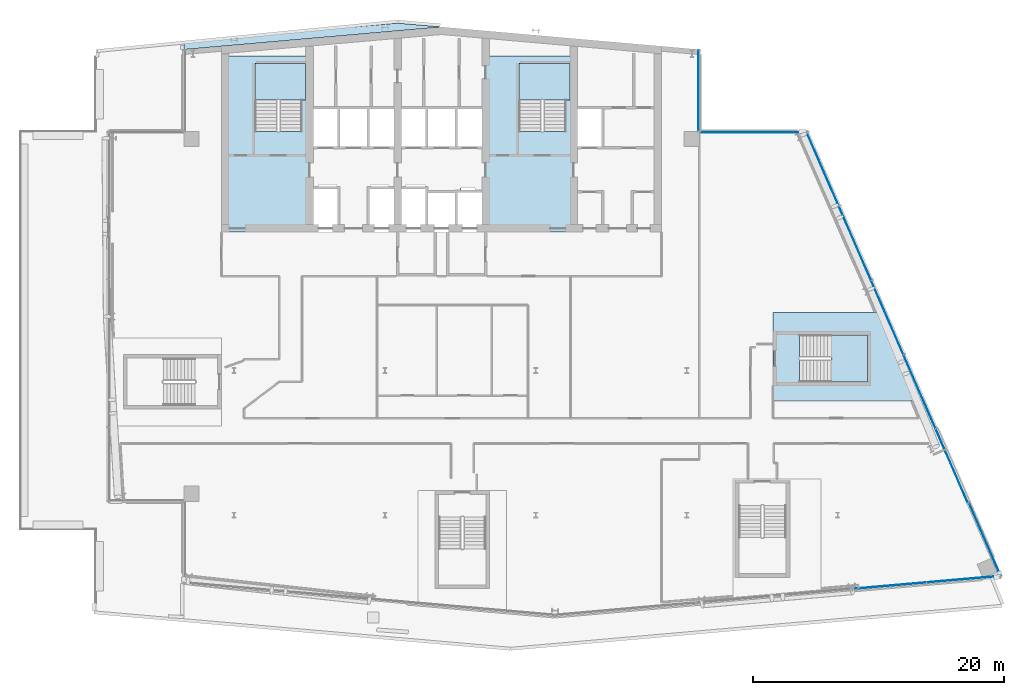
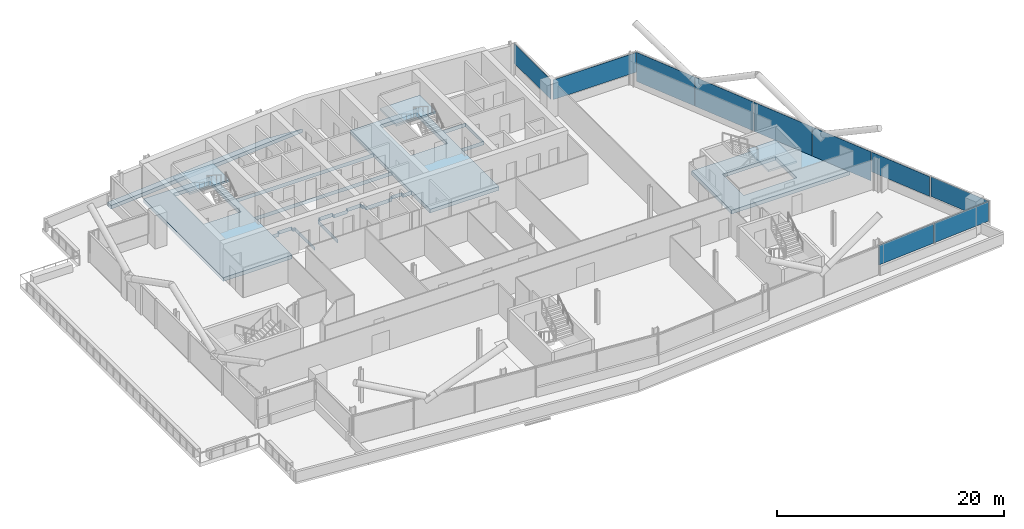
# One storey, part 11 of 27: 10 plates, 6 slabs, 7 elements without a shape of their own.
"""IFC4 building model written with IfcOpenShell, lengths in metres."""

from ifc_helpers import new_model, si_unit, direction, frame, origin, origin_2d, place, context, subcontext, project, spatial, polyline, rectangle, outline, extrude, material, layer, layer_set, type_object, element, aggregate, save


model = new_model("IFC4")

# Units and contexts
model_context = context("Model", 3, precision=1e-05, world=origin(), true_north=direction((0.0, 1.0)))
body_context = subcontext(model_context, "Body", "Model", "MODEL_VIEW")
ifc_project = project(units=[si_unit("LENGTHUNIT", "METRE"), si_unit("AREAUNIT", "SQUARE_METRE"), si_unit("VOLUMEUNIT", "CUBIC_METRE"), si_unit("PLANEANGLEUNIT", "RADIAN"), si_unit("MASSUNIT", "GRAM", prefix="KILO")], contexts=[model_context])

# Site, building, storey
site_placement = place(None, origin())
site = spatial("IfcSite", under=ifc_project, at=site_placement, CompositionType="ELEMENT")
building_placement = place(site_placement, origin())
building = spatial("IfcBuilding", under=site, at=building_placement, Name="Wharfspan Tower", CompositionType="ELEMENT")
storey_placement = place(building_placement, frame((0.0, 0.0, 207.100098)))
storey = spatial("IfcBuildingStorey", under=building, at=storey_placement, Name="L51", CompositionType="ELEMENT", Elevation=207.100098)

# Curtain wall, plates
ifc_material_1 = material(Name="Aluminium 6063-T6", Category="aluminium")
curtain_wall_type_1 = type_object("IfcCurtainWallType", Name="CURTAIN WALL FACETED FRONT", PredefinedType="NOTDEFINED", material=ifc_material_1)
curtain_wall_1_placement = place(storey_placement, origin())
curtain_wall_1 = element("IfcCurtainWall", 1, at=curtain_wall_1_placement, inside=storey, type_object=curtain_wall_type_1, Name="Curtain wall S2", PredefinedType="NOTDEFINED")
ifc_material_2 = material(Name="Glass clear low-iron double glazing", Category="glass")
ifc_layer_1 = layer(ifc_material_2, 0.040039)
ifc_layer_set_1 = layer_set([ifc_layer_1], Name="Glass clear low-iron double glazing")
plate_type_1 = type_object("IfcPlateType", Name="GLASS PANEL FACETED FRONT 40", PredefinedType="CURTAIN_PANEL", material=ifc_layer_set_1)
plate_1_placement = place(storey_placement, frame((76.119873, 5.883301, 0.999756), z_axis=(0.0, 0.0, 1.0), x_axis=(0.996197, 0.087156, 0.0)))
plate_1 = element("IfcPlate", 2, at=plate_1_placement, type_object=plate_type_1, Name="Curtain wall S2 panel 5", PredefinedType="CURTAIN_PANEL", context=body_context, shape_type="SweptSolid", body=[
    extrude(rectangle(XDim=5.87915, YDim=0.040039, at=origin_2d()), origin(), (0.0, 0.0, 1.0), 2.120117),
])
plate_2_placement = place(storey_placement, frame((82.021484, 6.399658, 0.999756), z_axis=(0.0, 0.0, 1.0), x_axis=(0.996197, 0.087156, 0.0)))
plate_2 = element("IfcPlate", 3, at=plate_2_placement, type_object=plate_type_1, Name="Curtain wall S2 panel 6", PredefinedType="CURTAIN_PANEL", context=body_context, shape_type="SweptSolid", body=[
    extrude(rectangle(XDim=5.849365, YDim=0.040039, at=origin_2d()), origin(), (0.0, 0.0, 1.0), 2.120117),
])
aggregate(curtain_wall_1, [plate_1, plate_2])

curtain_wall_type_2 = type_object("IfcCurtainWallType", Name="CURTAIN WALL PROW AND END", PredefinedType="NOTDEFINED", material=ifc_material_1)
curtain_wall_2_placement = place(storey_placement, origin())
curtain_wall_2 = element("IfcCurtainWall", 4, at=curtain_wall_2_placement, inside=storey, type_object=curtain_wall_type_2, Name="Curtain wall E", PredefinedType="NOTDEFINED")
ifc_layer_2 = layer(ifc_material_2, 0.040039)
ifc_layer_set_2 = layer_set([ifc_layer_2], Name="Glass clear low-iron double glazing")
plate_type_2 = type_object("IfcPlateType", Name="GLASS PANEL PROW AND END 40", PredefinedType="CURTAIN_PANEL", material=ifc_layer_set_2)
plate_3_placement = place(storey_placement, frame((83.711426, 9.563721, 0.999756), z_axis=(0.0, 0.0, 1.0), x_axis=(-0.398727, 0.917072, 0.0)))
plate_3 = element("IfcPlate", 5, at=plate_3_placement, type_object=plate_type_2, Name="Curtain wall E panel 1", PredefinedType="CURTAIN_PANEL", context=body_context, shape_type="SweptSolid", body=[
    extrude(rectangle(XDim=6.343506, YDim=0.040039, at=origin_2d()), origin(), (0.0, 0.0, 1.0), 2.120117),
])
plate_4_placement = place(storey_placement, frame((81.078857, 15.418213, 0.999756), z_axis=(0.0, 0.0, 1.0), x_axis=(-0.398727, 0.917072, 0.0)))
plate_4 = element("IfcPlate", 6, at=plate_4_placement, type_object=plate_type_2, Name="Curtain wall E panel 2", PredefinedType="CURTAIN_PANEL", context=body_context, shape_type="SweptSolid", body=[
    extrude(rectangle(XDim=6.373535, YDim=0.040039, at=origin_2d()), origin(), (0.0, 0.0, 1.0), 2.120117),
])

# Curtain wall, plate
curtain_wall_3_placement = place(storey_placement, origin())
curtain_wall_3 = element("IfcCurtainWall", 7, at=curtain_wall_3_placement, inside=storey, type_object=curtain_wall_type_2, Name="Curtain wall NRE-H", PredefinedType="NOTDEFINED")
plate_5_placement = place(storey_placement, frame((65.304443, 41.919922, 0.999756), z_axis=(0.0, 0.0, 1.0), x_axis=(-1.0, 0.0, 0.0)))
plate_5 = element("IfcPlate", 8, at=plate_5_placement, type_object=plate_type_2, Name="Curtain wall NRE-H panel 1", PredefinedType="CURTAIN_PANEL", context=body_context, shape_type="SweptSolid", body=[
    extrude(rectangle(XDim=8.48877, YDim=0.040039, at=origin_2d()), origin(), (0.0, 0.0, 1.0), 2.120117),
])
aggregate(curtain_wall_3, [plate_5])

curtain_wall_4_placement = place(storey_placement, origin())
curtain_wall_4 = element("IfcCurtainWall", 9, at=curtain_wall_4_placement, inside=storey, type_object=curtain_wall_type_2, Name="Curtain wall NRE-V", PredefinedType="NOTDEFINED")
plate_6_placement = place(storey_placement, frame((60.919922, 45.262451, 0.999756), z_axis=(0.0, 0.0, 1.0), x_axis=(0.0, 1.0, 0.0)))
plate_6 = element("IfcPlate", 10, at=plate_6_placement, type_object=plate_type_2, Name="Curtain wall NRE-V panel 1", PredefinedType="CURTAIN_PANEL", context=body_context, shape_type="SweptSolid", body=[
    extrude(rectangle(XDim=6.405029, YDim=0.040039, at=origin_2d()), origin(), (0.0, 0.0, 1.0), 2.120117),
])
aggregate(curtain_wall_4, [plate_6])

# Plate
ifc_material_3 = material(Name="Aluminium composite opaque insulated panel", Category="aluminium")
ifc_layer_3 = layer(ifc_material_3, 0.040039)
ifc_layer_set_3 = layer_set([ifc_layer_3], Name="Aluminium composite opaque insulated panel")
plate_type_3 = type_object("IfcPlateType", Name="INFILL PANEL PROW AND END OPAQUE 40", PredefinedType="SHEET", material=ifc_layer_set_3)
plate_7_placement = place(storey_placement, frame((78.513672, 21.318115, -0.000244), z_axis=(0.0, 0.0, 1.0), x_axis=(-0.398727, 0.917072, 0.0)))
plate_7 = element("IfcPlate", 11, at=plate_7_placement, type_object=plate_type_3, Name="Curtain wall E panel 3", PredefinedType="SHEET", context=body_context, shape_type="SweptSolid", body=[
    extrude(rectangle(XDim=6.373535, YDim=0.040039, at=origin_2d()), origin(), (0.0, 0.0, 1.0), 3.120117),
])

plate_8_placement = place(storey_placement, frame((75.948486, 27.218018, -0.000244), z_axis=(0.0, 0.0, 1.0), x_axis=(-0.398727, 0.917072, 0.0)))
plate_8 = element("IfcPlate", 12, at=plate_8_placement, type_object=plate_type_3, Name="Curtain wall E panel 4", PredefinedType="SHEET", context=body_context, shape_type="SweptSolid", body=[
    extrude(rectangle(XDim=6.373535, YDim=0.040039, at=origin_2d()), origin(), (0.0, 0.0, 1.0), 3.120117),
])

plate_9_placement = place(storey_placement, frame((73.383057, 33.118164, -0.000244), z_axis=(0.0, 0.0, 1.0), x_axis=(-0.398727, 0.917072, 0.0)))
plate_9 = element("IfcPlate", 13, at=plate_9_placement, type_object=plate_type_3, Name="Curtain wall E panel 5", PredefinedType="SHEET", context=body_context, shape_type="SweptSolid", body=[
    extrude(rectangle(XDim=6.373535, YDim=0.040039, at=origin_2d()), origin(), (0.0, 0.0, 1.0), 3.120117),
])

plate_10_placement = place(storey_placement, frame((70.823975, 39.004395, -0.000244), z_axis=(0.0, 0.0, 1.0), x_axis=(-0.398727, 0.917072, 0.0)))
plate_10 = element("IfcPlate", 14, at=plate_10_placement, type_object=plate_type_3, Name="Curtain wall E panel 6", PredefinedType="SHEET", context=body_context, shape_type="SweptSolid", body=[
    extrude(rectangle(XDim=6.343506, YDim=0.040039, at=origin_2d()), origin(), (0.0, 0.0, 1.0), 3.120117),
])

aggregate(curtain_wall_2, [plate_3, plate_4, plate_7, plate_8, plate_9, plate_10])

# Slabs
ifc_material_4 = material(Name="Concrete C40/50", Category="concrete")
ifc_layer_4 = layer(ifc_material_4, 0.399902)
ifc_layer_set_4 = layer_set([ifc_layer_4], Name="Concrete C40/50")
slab_type_1 = type_object("IfcSlabType", Name="Post-tensioned flat slab 400", PredefinedType="FLOOR", material=ifc_layer_set_4)
slab_1_placement = place(storey_placement, frame((0.0, 0.0, -0.400146)))
element("IfcSlab", 15, at=slab_1_placement, inside=storey, type_object=slab_type_1, Name="Core floor slab L51 part 2", PredefinedType="FLOOR", context=body_context, shape_type="SweptSolid", body=[
    extrude(outline(polyline([(23.0, 34.0), (29.998047, 34.0), (29.998047, 37.550049), (29.998047, 37.550293), (29.998047, 37.550293), (29.998047, 37.550537), (29.998291, 37.550781), (29.998291, 37.550781), (29.998291, 37.551025), (29.998535, 37.55127), (29.998535, 37.551514), (29.998779, 37.551514), (29.998779, 37.551758), (29.999023, 37.551758), (29.999268, 37.551758), (29.999512, 37.552002), (29.999512, 37.552002), (29.999756, 37.552002), (30.0, 37.552002), (30.7146, 37.552002), (30.7146, 37.800049), (30.7146, 37.800293), (30.7146, 37.800293), (30.714844, 37.800537), (30.714844, 37.800781), (30.714844, 37.800781), (30.715088, 37.801025), (30.715088, 37.80127), (30.715332, 37.801514), (30.715332, 37.801514), (30.715576, 37.801758), (30.71582, 37.801758), (30.71582, 37.801758), (30.716064, 37.802002), (30.716309, 37.802002), (30.716553, 37.802002), (30.716797, 37.802002), (32.116699, 37.802002), (32.116943, 37.802002), (32.117188, 37.802002), (32.117188, 37.802002), (32.117432, 37.801758), (32.117676, 37.801758), (32.11792, 37.801758), (32.11792, 37.801514), (32.118164, 37.801514), (32.118164, 37.80127), (32.118408, 37.801025), (32.118408, 37.800781), (32.118408, 37.800781), (32.118652, 37.800537), (32.118652, 37.800293), (32.118652, 37.800293), (32.118652, 37.800049), (32.118652, 37.552002), (32.333252, 37.552002), (32.333496, 37.552002), (32.33374, 37.552002), (32.333984, 37.552002), (32.333984, 37.551758), (32.334229, 37.551758), (32.334473, 37.551758), (32.334717, 37.551514), (32.334717, 37.551514), (32.334961, 37.55127), (32.334961, 37.551025), (32.335205, 37.550781), (32.335205, 37.550781), (32.335205, 37.550537), (32.335205, 37.550293), (32.335205, 37.550293), (32.335205, 37.550049), (32.335205, 34.0), (32.341309, 34.0), (32.341309, 37.558105), (32.126709, 37.558105), (32.126465, 37.558105), (32.126221, 37.558105), (32.126221, 37.558105), (32.125977, 37.558105), (32.125732, 37.558105), (32.125488, 37.55835), (32.125488, 37.558594), (32.125244, 37.558594), (32.125244, 37.558594), (32.125, 37.558838), (32.125, 37.559082), (32.125, 37.559082), (32.124756, 37.559326), (32.124756, 37.55957), (32.124756, 37.559814), (32.124756, 37.560059), (32.124756, 37.808105), (30.70874, 37.808105), (30.70874, 37.560059), (30.70874, 37.559814), (30.70874, 37.55957), (30.708496, 37.559326), (30.708496, 37.559082), (30.708496, 37.559082), (30.708496, 37.558838), (30.708252, 37.558594), (30.708008, 37.558594), (30.708008, 37.558594), (30.707764, 37.55835), (30.70752, 37.558105), (30.70752, 37.558105), (30.707275, 37.558105), (30.707031, 37.558105), (30.706787, 37.558105), (30.706787, 37.558105), (30.01001, 37.558105), (30.009766, 37.558105), (30.009521, 37.558105), (30.009521, 37.558105), (30.009277, 37.558105), (30.009033, 37.558105), (30.008789, 37.55835), (30.008789, 37.558594), (30.008545, 37.558594), (30.008545, 37.558594), (30.008301, 37.558838), (30.008301, 37.559082), (30.008301, 37.559082), (30.008057, 37.559326), (30.008057, 37.55957), (30.008057, 37.559814), (30.008057, 37.560059), (30.008057, 40.689941), (30.008057, 40.690186), (30.008057, 40.69043), (30.008057, 40.690674), (30.008301, 40.690918), (30.008301, 40.690918), (30.008301, 40.691162), (30.008545, 40.691406), (30.008545, 40.691406), (30.008789, 40.691406), (30.008789, 40.69165), (30.009033, 40.691895), (30.009277, 40.691895), (30.009521, 40.691895), (30.009521, 40.691895), (30.009766, 40.691895), (30.01001, 40.691895), (43.98999, 40.691895), (43.990234, 40.691895), (43.990479, 40.691895), (43.990479, 40.691895), (43.990723, 40.691895), (43.990967, 40.691895), (43.991211, 40.69165), (43.991211, 40.691406), (43.991455, 40.691406), (43.991455, 40.691406), (43.991699, 40.691162), (43.991699, 40.690918), (43.991699, 40.690918), (43.991943, 40.690674), (43.991943, 40.69043), (43.991943, 40.690186), (43.991943, 40.689941), (43.991943, 37.26001), (43.991943, 37.259766), (43.991943, 37.259521), (43.991943, 37.259521), (43.991699, 37.259277), (43.991699, 37.259033), (43.991699, 37.258789), (43.991455, 37.258789), (43.991455, 37.258545), (43.991211, 37.258545), (43.991211, 37.258301), (43.990967, 37.258301), (43.990723, 37.258301), (43.990479, 37.258057), (43.990479, 37.258057), (43.990234, 37.258057), (43.98999, 37.258057), (43.143311, 37.258057), (43.143066, 37.258057), (43.142822, 37.258057), (43.142578, 37.258057), (43.142578, 37.258301), (43.142334, 37.258301), (43.14209, 37.258301), (43.14209, 37.258545), (43.141846, 37.258545), (43.141846, 37.258789), (43.141602, 37.258789), (43.141602, 37.259033), (43.141602, 37.259277), (43.141357, 37.259521), (43.141357, 37.259521), (43.141357, 37.259766), (43.141357, 37.26001), (43.141357, 37.508057), (42.025391, 37.508057), (42.025391, 37.26001), (42.025391, 37.259766), (42.025391, 37.259521), (42.025146, 37.259521), (42.025146, 37.259277), (42.025146, 37.259033), (42.024902, 37.258789), (42.024902, 37.258789), (42.024658, 37.258545), (42.024658, 37.258545), (42.024414, 37.258301), (42.02417, 37.258301), (42.02417, 37.258301), (42.023926, 37.258057), (42.023682, 37.258057), (42.023438, 37.258057), (42.023193, 37.258057), (41.658691, 37.258057), (41.658691, 37.209961), (41.658691, 37.209717), (41.658691, 37.209717), (41.658691, 37.209473), (41.658447, 37.209229), (41.658447, 37.208984), (41.658447, 37.208984), (41.658203, 37.20874), (41.658203, 37.208496), (41.657959, 37.208496), (41.657715, 37.208252), (41.657715, 37.208252), (41.657471, 37.208252), (41.657227, 37.208008), (41.656982, 37.208008), (41.656982, 37.208008), (41.656738, 37.208008), (39.343262, 37.208008), (39.343018, 37.208008), (39.343018, 37.208008), (39.342773, 37.208008), (39.342529, 37.208252), (39.342285, 37.208252), (39.342285, 37.208252), (39.342041, 37.208496), (39.341797, 37.208496), (39.341797, 37.20874), (39.341553, 37.208984), (39.341553, 37.208984), (39.341553, 37.209229), (39.341309, 37.209473), (39.341309, 37.209717), (39.341309, 37.209717), (39.341309, 37.209961), (39.341309, 37.558105), (39.166748, 37.558105), (39.166504, 37.558105), (39.16626, 37.558105), (39.166016, 37.558105), (39.166016, 37.558105), (39.165771, 37.558105), (39.165527, 37.55835), (39.165283, 37.558594), (39.165283, 37.558594), (39.165283, 37.558594), (39.165039, 37.558838), (39.164795, 37.559082), (39.164795, 37.559082), (39.164795, 37.559326), (39.164795, 37.55957), (39.164795, 37.559814), (39.164795, 37.560059), (39.164795, 37.808105), (37.668701, 37.808105), (37.668701, 37.560059), (37.668701, 37.559814), (37.668701, 37.55957), (37.668701, 37.559326), (37.668457, 37.559082), (37.668457, 37.559082), (37.668457, 37.558838), (37.668213, 37.558594), (37.668213, 37.558594), (37.667969, 37.558594), (37.667725, 37.55835), (37.66748, 37.558105), (37.66748, 37.558105), (37.667236, 37.558105), (37.666992, 37.558105), (37.666992, 37.558105), (37.666748, 37.558105), (36.293213, 37.558105), (36.293213, 37.558105), (36.292969, 37.558105), (36.292725, 37.558105), (36.29248, 37.558105), (36.29248, 37.558105), (36.292236, 37.55835), (36.291992, 37.558594), (36.291992, 37.558594), (36.291748, 37.558594), (36.291504, 37.558838), (36.291504, 37.559082), (36.291504, 37.559082), (36.291504, 37.559326), (36.29126, 37.55957), (36.29126, 37.559814), (36.29126, 37.560059), (36.29126, 37.808105), (34.875244, 37.808105), (34.875244, 37.560059), (34.875244, 37.559814), (34.875244, 37.55957), (34.875244, 37.559326), (34.875, 37.559082), (34.875, 37.559082), (34.875, 37.558838), (34.874756, 37.558594), (34.874756, 37.558594), (34.874512, 37.558594), (34.874512, 37.55835), (34.874268, 37.558105), (34.874023, 37.558105), (34.873779, 37.558105), (34.873779, 37.558105), (34.873535, 37.558105), (34.873291, 37.558105), (34.658691, 37.558105), (34.658691, 34.0), (34.664795, 34.0), (34.664795, 37.550049), (34.664795, 37.550293), (34.664795, 37.550293), (34.664795, 37.550537), (34.664795, 37.550781), (34.664795, 37.550781), (34.665039, 37.551025), (34.665039, 37.55127), (34.665283, 37.551514), (34.665283, 37.551514), (34.665527, 37.551758), (34.665771, 37.551758), (34.666016, 37.551758), (34.666016, 37.552002), (34.66626, 37.552002), (34.666504, 37.552002), (34.666748, 37.552002), (34.881348, 37.552002), (34.881348, 37.800049), (34.881348, 37.800293), (34.881348, 37.800293), (34.881348, 37.800537), (34.881592, 37.800781), (34.881592, 37.800781), (34.881592, 37.801025), (34.881836, 37.80127), (34.881836, 37.801514), (34.88208, 37.801514), (34.88208, 37.801758), (34.882324, 37.801758), (34.882568, 37.801758), (34.882812, 37.802002), (34.882812, 37.802002), (34.883057, 37.802002), (34.883301, 37.802002), (36.283203, 37.802002), (36.283447, 37.802002), (36.283691, 37.802002), (36.283936, 37.802002), (36.28418, 37.801758), (36.28418, 37.801758), (36.284424, 37.801758), (36.284668, 37.801514), (36.284668, 37.801514), (36.284912, 37.80127), (36.284912, 37.801025), (36.285156, 37.800781), (36.285156, 37.800781), (36.285156, 37.800537), (36.2854, 37.800293), (36.2854, 37.800293), (36.2854, 37.800049), (36.2854, 37.552002), (37.674805, 37.552002), (37.674805, 37.800049), (37.674805, 37.800293), (37.674805, 37.800293), (37.674805, 37.800537), (37.674805, 37.800781), (37.674805, 37.800781), (37.675049, 37.801025), (37.675049, 37.80127), (37.675293, 37.801514), (37.675293, 37.801514), (37.675537, 37.801758), (37.675781, 37.801758), (37.675781, 37.801758), (37.676025, 37.802002), (37.67627, 37.802002), (37.676514, 37.802002), (37.676758, 37.802002), (39.156738, 37.802002), (39.156982, 37.802002), (39.156982, 37.802002), (39.157227, 37.802002), (39.157471, 37.801758), (39.157715, 37.801758), (39.157715, 37.801758), (39.157959, 37.801514), (39.158203, 37.801514), (39.158203, 37.80127), (39.158203, 37.801025), (39.158447, 37.800781), (39.158447, 37.800781), (39.158691, 37.800537), (39.158691, 37.800293), (39.158691, 37.800293), (39.158691, 37.800049), (39.158691, 37.552002), (39.333252, 37.552002), (39.333496, 37.552002), (39.33374, 37.552002), (39.333984, 37.552002), (39.333984, 37.551758), (39.334229, 37.551758), (39.334473, 37.551758), (39.334717, 37.551514), (39.334717, 37.551514), (39.334961, 37.55127), (39.334961, 37.551025), (39.335205, 37.550781), (39.335205, 37.550781), (39.335205, 37.550537), (39.335205, 37.550293), (39.335205, 37.550293), (39.335205, 37.550049), (39.335205, 37.201904), (41.664795, 37.201904), (41.664795, 37.25), (41.664795, 37.250244), (41.664795, 37.250488), (41.664795, 37.250488), (41.664795, 37.250732), (41.664795, 37.250977), (41.665039, 37.251221), (41.665039, 37.251221), (41.665283, 37.251465), (41.665283, 37.251465), (41.665527, 37.251709), (41.665771, 37.251709), (41.666016, 37.251709), (41.666016, 37.251953), (41.66626, 37.251953), (41.666504, 37.251953), (41.666748, 37.251953), (42.03125, 37.251953), (42.03125, 37.5), (42.03125, 37.500244), (42.031494, 37.500488), (42.031494, 37.500488), (42.031494, 37.500732), (42.031494, 37.500977), (42.031738, 37.501221), (42.031738, 37.501221), (42.031982, 37.501465), (42.031982, 37.501465), (42.032227, 37.501709), (42.032471, 37.501709), (42.032715, 37.501709), (42.032715, 37.501953), (42.032959, 37.501953), (42.033203, 37.501953), (42.033203, 37.501953), (43.133301, 37.501953), (43.133545, 37.501953), (43.133789, 37.501953), (43.133789, 37.501953), (43.134033, 37.501709), (43.134277, 37.501709), (43.134521, 37.501709), (43.134521, 37.501465), (43.134766, 37.501465), (43.13501, 37.501221), (43.13501, 37.501221), (43.13501, 37.500977), (43.135254, 37.500732), (43.135254, 37.500488), (43.135254, 37.500488), (43.135254, 37.500244), (43.135254, 37.5), (43.135254, 37.251953), (44.0, 37.251953), (44.000244, 37.251953), (44.000488, 37.251953), (44.000488, 37.251953), (44.000732, 37.251709), (44.000977, 37.251709), (44.001221, 37.251709), (44.001221, 37.251465), (44.001465, 37.251465), (44.001465, 37.251221), (44.001709, 37.251221), (44.001709, 37.250977), (44.001709, 37.250732), (44.001953, 37.250488), (44.001953, 37.250488), (44.001953, 37.250244), (44.001953, 37.25), (44.001953, 34.0), (51.0, 34.0), (51.008057, 34.0), (51.008057, 40.689941), (51.008057, 40.690186), (51.008057, 40.69043), (51.008057, 40.690674), (51.008301, 40.690918), (51.008301, 40.690918), (51.008301, 40.691162), (51.008545, 40.691406), (51.008545, 40.691406), (51.008789, 40.691406), (51.008789, 40.69165), (51.009033, 40.691895), (51.009277, 40.691895), (51.009521, 40.691895), (51.009521, 40.691895), (51.009766, 40.691895), (51.01001, 40.691895), (53.341309, 40.691895), (53.341309, 43.907959), (51.01001, 43.907959), (51.009766, 43.907959), (51.009521, 43.907959), (51.009521, 43.908203), (51.009277, 43.908203), (51.009033, 43.908203), (51.008789, 43.908203), (51.008789, 43.908447), (51.008545, 43.908691), (51.008545, 43.908691), (51.008301, 43.908936), (51.008301, 43.90918), (51.008301, 43.90918), (51.008057, 43.909424), (51.008057, 43.909668), (51.008057, 43.909912), (51.008057, 43.909912), (51.008057, 48.008057), (43.991943, 48.008057), (43.991943, 43.909912), (43.991943, 43.909912), (43.991943, 43.909668), (43.991943, 43.909424), (43.991699, 43.90918), (43.991699, 43.90918), (43.991699, 43.908936), (43.991455, 43.908691), (43.991455, 43.908691), (43.991211, 43.908447), (43.991211, 43.908203), (43.990967, 43.908203), (43.990723, 43.908203), (43.990479, 43.908203), (43.990479, 43.907959), (43.990234, 43.907959), (43.98999, 43.907959), (30.01001, 43.907959), (30.009766, 43.907959), (30.009521, 43.907959), (30.009521, 43.908203), (30.009277, 43.908203), (30.009033, 43.908203), (30.008789, 43.908203), (30.008789, 43.908447), (30.008545, 43.908691), (30.008545, 43.908691), (30.008301, 43.908936), (30.008301, 43.90918), (30.008301, 43.90918), (30.008057, 43.909424), (30.008057, 43.909668), (30.008057, 43.909912), (30.008057, 43.909912), (30.008057, 48.008057), (23.0, 48.008057), (23.0, 48.0), (23.0, 34.0)]), holes=[polyline([(53.333252, 43.9021), (53.333496, 43.9021), (53.33374, 43.9021), (53.333984, 43.901855), (53.333984, 43.901855), (53.334229, 43.901855), (53.334473, 43.901611), (53.334717, 43.901611), (53.334717, 43.901367), (53.334961, 43.901367), (53.334961, 43.901123), (53.335205, 43.900879), (53.335205, 43.900879), (53.335205, 43.900635), (53.335205, 43.900391), (53.335205, 43.900146), (53.335205, 43.899902), (53.335205, 40.699951), (53.335205, 40.699707), (53.335205, 40.699707), (53.335205, 40.699463), (53.335205, 40.699219), (53.335205, 40.699219), (53.334961, 40.698975), (53.334961, 40.69873), (53.334717, 40.698486), (53.334717, 40.698486), (53.334473, 40.698242), (53.334229, 40.698242), (53.333984, 40.698242), (53.333984, 40.697998), (53.33374, 40.697998), (53.333496, 40.697998), (53.333252, 40.697998), (51.0, 40.697998), (50.999756, 40.697998), (50.999512, 40.697998), (50.999512, 40.697998), (50.999268, 40.698242), (50.999023, 40.698242), (50.998779, 40.698242), (50.998779, 40.698486), (50.998535, 40.698486), (50.998535, 40.69873), (50.998291, 40.698975), (50.998291, 40.699219), (50.998291, 40.699219), (50.998047, 40.699463), (50.998047, 40.699707), (50.998047, 40.699707), (50.998047, 40.699951), (50.998047, 43.899902), (50.998047, 43.900146), (50.998047, 43.900391), (50.998047, 43.900635), (50.998291, 43.900879), (50.998291, 43.900879), (50.998291, 43.901123), (50.998535, 43.901367), (50.998535, 43.901367), (50.998779, 43.901611), (50.998779, 43.901611), (50.999023, 43.901855), (50.999268, 43.901855), (50.999512, 43.901855), (50.999512, 43.9021), (50.999756, 43.9021), (51.0, 43.9021), (53.333252, 43.9021)]), polyline([(46.649902, 41.998047), (46.649902, 41.998047), (46.649658, 41.998047), (46.649414, 41.998047), (46.64917, 41.998291), (46.64917, 41.998291), (46.648926, 41.998291), (46.648682, 41.998535), (46.648682, 41.998535), (46.648438, 41.998779), (46.648193, 41.998779), (46.648193, 41.999023), (46.648193, 41.999268), (46.648193, 41.999512), (46.647949, 41.999512), (46.647949, 41.999756), (46.647949, 42.0), (46.647949, 47.399902), (46.647949, 47.400146), (46.647949, 47.400391), (46.648193, 47.400635), (46.648193, 47.400879), (46.648193, 47.400879), (46.648193, 47.401123), (46.648438, 47.401367), (46.648682, 47.401367), (46.648682, 47.401611), (46.648926, 47.401611), (46.64917, 47.401855), (46.64917, 47.401855), (46.649414, 47.401855), (46.649658, 47.4021), (46.649902, 47.4021), (46.649902, 47.4021), (50.399902, 47.4021), (50.400146, 47.4021), (50.400391, 47.4021), (50.400635, 47.401855), (50.400879, 47.401855), (50.400879, 47.401855), (50.401123, 47.401611), (50.401367, 47.401611), (50.401367, 47.401367), (50.401611, 47.401367), (50.401611, 47.401123), (50.401855, 47.400879), (50.401855, 47.400879), (50.401855, 47.400635), (50.4021, 47.400391), (50.4021, 47.400146), (50.4021, 47.399902), (50.4021, 42.0), (50.4021, 41.999756), (50.4021, 41.999512), (50.401855, 41.999512), (50.401855, 41.999268), (50.401855, 41.999023), (50.401611, 41.998779), (50.401611, 41.998779), (50.401367, 41.998535), (50.401367, 41.998535), (50.401123, 41.998291), (50.400879, 41.998291), (50.400879, 41.998291), (50.400635, 41.998047), (50.400391, 41.998047), (50.400146, 41.998047), (50.399902, 41.998047), (46.649902, 41.998047)]), polyline([(44.0, 43.9021), (44.000244, 43.9021), (44.000488, 43.9021), (44.000488, 43.901855), (44.000732, 43.901855), (44.000977, 43.901855), (44.001221, 43.901611), (44.001221, 43.901611), (44.001465, 43.901367), (44.001465, 43.901367), (44.001709, 43.901123), (44.001709, 43.900879), (44.001709, 43.900879), (44.001953, 43.900635), (44.001953, 43.900391), (44.001953, 43.900146), (44.001953, 43.899902), (44.001953, 40.699951), (44.001953, 40.699707), (44.001953, 40.699707), (44.001953, 40.699463), (44.001709, 40.699219), (44.001709, 40.699219), (44.001709, 40.698975), (44.001465, 40.69873), (44.001465, 40.698486), (44.001221, 40.698486), (44.001221, 40.698242), (44.000977, 40.698242), (44.000732, 40.698242), (44.000488, 40.697998), (44.000488, 40.697998), (44.000244, 40.697998), (44.0, 40.697998), (30.0, 40.697998), (29.999756, 40.697998), (29.999512, 40.697998), (29.999512, 40.697998), (29.999268, 40.698242), (29.999023, 40.698242), (29.998779, 40.698242), (29.998779, 40.698486), (29.998535, 40.698486), (29.998535, 40.69873), (29.998291, 40.698975), (29.998291, 40.699219), (29.998291, 40.699219), (29.998047, 40.699463), (29.998047, 40.699707), (29.998047, 40.699707), (29.998047, 40.699951), (29.998047, 43.899902), (29.998047, 43.900146), (29.998047, 43.900391), (29.998047, 43.900635), (29.998291, 43.900879), (29.998291, 43.900879), (29.998291, 43.901123), (29.998535, 43.901367), (29.998535, 43.901367), (29.998779, 43.901611), (29.998779, 43.901611), (29.999023, 43.901855), (29.999268, 43.901855), (29.999512, 43.901855), (29.999512, 43.9021), (29.999756, 43.9021), (30.0, 43.9021), (44.0, 43.9021)]), polyline([(25.649902, 41.998047), (25.649902, 41.998047), (25.649658, 41.998047), (25.649414, 41.998047), (25.64917, 41.998291), (25.64917, 41.998291), (25.648926, 41.998291), (25.648682, 41.998535), (25.648682, 41.998535), (25.648438, 41.998779), (25.648193, 41.998779), (25.648193, 41.999023), (25.648193, 41.999268), (25.648193, 41.999512), (25.647949, 41.999512), (25.647949, 41.999756), (25.647949, 42.0), (25.647949, 47.399902), (25.647949, 47.400146), (25.647949, 47.400391), (25.648193, 47.400635), (25.648193, 47.400879), (25.648193, 47.400879), (25.648193, 47.401123), (25.648438, 47.401367), (25.648682, 47.401367), (25.648682, 47.401611), (25.648926, 47.401611), (25.64917, 47.401855), (25.64917, 47.401855), (25.649414, 47.401855), (25.649658, 47.4021), (25.649902, 47.4021), (25.649902, 47.4021), (29.399902, 47.4021), (29.400146, 47.4021), (29.400391, 47.4021), (29.400635, 47.401855), (29.400879, 47.401855), (29.400879, 47.401855), (29.401123, 47.401611), (29.401367, 47.401611), (29.401367, 47.401367), (29.401611, 47.401367), (29.401611, 47.401123), (29.401855, 47.400879), (29.401855, 47.400879), (29.401855, 47.400635), (29.4021, 47.400391), (29.4021, 47.400146), (29.4021, 47.399902), (29.4021, 42.0), (29.4021, 41.999756), (29.4021, 41.999512), (29.401855, 41.999512), (29.401855, 41.999268), (29.401855, 41.999023), (29.401611, 41.998779), (29.401611, 41.998779), (29.401367, 41.998535), (29.401367, 41.998535), (29.401123, 41.998291), (29.400879, 41.998291), (29.400879, 41.998291), (29.400635, 41.998047), (29.400391, 41.998047), (29.400146, 41.998047), (29.399902, 41.998047), (25.649902, 41.998047)])]), origin(), (0.0, 0.0, 1.0), 0.400146),
])
slab_2_placement = place(storey_placement, frame((0.0, 0.0, -0.400146)))
element("IfcSlab", 16, at=slab_2_placement, inside=storey, type_object=slab_type_1, Name="Core floor slab L51 part 5", PredefinedType="FLOOR", context=body_context, shape_type="SweptSolid", body=[
    extrude(outline(polyline([(75.869629, 27.600098), (66.869629, 27.600098), (66.869629, 26.125), (66.869629, 21.774902), (66.869629, 20.600098), (78.913086, 20.600098), (75.869629, 27.600098)]), holes=[polyline([(68.967529, 25.824951), (68.967529, 25.825195), (68.967529, 25.825439), (68.967773, 25.825684), (68.967773, 25.825684), (68.967773, 25.825928), (68.968018, 25.826172), (68.968018, 25.826416), (68.968262, 25.826416), (68.968262, 25.826416), (68.968506, 25.82666), (68.968506, 25.826904), (68.96875, 25.826904), (68.968994, 25.826904), (68.969238, 25.826904), (68.969482, 25.826904), (68.969482, 25.826904), (74.369629, 25.826904), (74.369873, 25.826904), (74.370117, 25.826904), (74.370117, 25.826904), (74.370361, 25.826904), (74.370605, 25.826904), (74.370605, 25.82666), (74.37085, 25.826416), (74.371094, 25.826416), (74.371094, 25.826416), (74.371094, 25.826172), (74.371338, 25.825928), (74.371338, 25.825684), (74.371582, 25.825684), (74.371582, 25.825439), (74.371582, 25.825195), (74.371582, 25.824951), (74.371582, 22.074951), (74.371582, 22.074707), (74.371582, 22.074707), (74.371582, 22.074463), (74.371338, 22.074219), (74.371338, 22.074219), (74.371094, 22.073975), (74.371094, 22.07373), (74.371094, 22.073486), (74.37085, 22.073486), (74.370605, 22.073242), (74.370605, 22.073242), (74.370361, 22.073242), (74.370117, 22.072998), (74.370117, 22.072998), (74.369873, 22.072998), (74.369629, 22.072998), (68.969482, 22.072998), (68.969482, 22.072998), (68.969238, 22.072998), (68.968994, 22.072998), (68.96875, 22.073242), (68.968506, 22.073242), (68.968506, 22.073242), (68.968262, 22.073486), (68.968262, 22.073486), (68.968018, 22.07373), (68.968018, 22.073975), (68.967773, 22.074219), (68.967773, 22.074219), (68.967773, 22.074463), (68.967529, 22.074707), (68.967529, 22.074707), (68.967529, 22.074951), (68.967529, 25.824951)])]), origin(), (0.0, 0.0, 1.0), 0.400146),
])

# Stair, slab
stair_type = type_object("IfcStairType", Name="Half-turn stair 20 risers 180 mm", PredefinedType="HALF_TURN_STAIR", material=ifc_material_4)
stair_1_placement = place(storey_placement, origin())
stair_1 = element("IfcStair", 17, at=stair_1_placement, inside=storey, type_object=stair_type, Name="L51 stair ST1", PredefinedType="HALF_TURN_STAIR")
ifc_layer_5 = layer(ifc_material_4, 0.199951)
ifc_layer_set_5 = layer_set([ifc_layer_5], Name="Concrete C40/50")
slab_type_2 = type_object("IfcSlabType", Name="Stair landing 200", PredefinedType="LANDING", material=ifc_layer_set_5)
slab_3_placement = place(storey_placement, frame((0.0, 0.0, 1.599609)))
slab_3 = element("IfcSlab", 18, at=slab_3_placement, type_object=slab_type_2, Name="ST1 landing 1", PredefinedType="LANDING", context=body_context, shape_type="SweptSolid", body=[
    extrude(outline(polyline([(25.649902, 44.52002), (29.699951, 44.52002), (29.699951, 47.399902), (25.649902, 47.399902), (25.649902, 44.52002)])), origin(), (0.0, 0.0, 1.0), 0.200195),
])
aggregate(stair_1, [slab_3])

stair_2_placement = place(storey_placement, origin())
stair_2 = element("IfcStair", 19, at=stair_2_placement, inside=storey, type_object=stair_type, Name="L51 stair ST2", PredefinedType="HALF_TURN_STAIR")
slab_4_placement = place(storey_placement, frame((0.0, 0.0, 1.599609)))
slab_4 = element("IfcSlab", 20, at=slab_4_placement, type_object=slab_type_2, Name="ST2 landing 1", PredefinedType="LANDING", context=body_context, shape_type="SweptSolid", body=[
    extrude(outline(polyline([(46.649902, 44.52002), (50.699951, 44.52002), (50.699951, 47.399902), (46.649902, 47.399902), (46.649902, 44.52002)])), origin(), (0.0, 0.0, 1.0), 0.200195),
])
aggregate(stair_2, [slab_4])

stair_3_placement = place(storey_placement, origin())
stair_3 = element("IfcStair", 21, at=stair_3_placement, inside=storey, type_object=stair_type, Name="L51 stair ST6", PredefinedType="HALF_TURN_STAIR")
slab_5_placement = place(storey_placement, frame((0.0, 0.0, 1.599609)))
slab_5 = element("IfcSlab", 22, at=slab_5_placement, type_object=slab_type_2, Name="ST6 landing 1", PredefinedType="LANDING", context=body_context, shape_type="SweptSolid", body=[
    extrude(outline(polyline([(71.489502, 22.074951), (74.369629, 22.074951), (74.369629, 25.824951), (71.489502, 25.824951), (71.489502, 22.074951)])), origin(), (0.0, 0.0, 1.0), 0.200195),
])
aggregate(stair_3, [slab_5])

# Slab
ifc_layer_6 = layer(ifc_material_4, 0.399902)
ifc_layer_set_6 = layer_set([ifc_layer_6], Name="Concrete C40/50")
slab_type_3 = type_object("IfcSlabType", Name="Terrace slab 400", PredefinedType="FLOOR", material=ifc_layer_set_6)
slab_6_placement = place(storey_placement, frame((0.0, 0.0, -0.400146)))
element("IfcSlab", 23, at=slab_6_placement, inside=storey, type_object=slab_type_3, Name="Ledge slab G3F2 L51", PredefinedType="FLOOR", context=body_context, shape_type="SweptSolid", body=[
    extrude(outline(polyline([(20.0, 48.526855), (40.488525, 50.31958), (37.0, 50.624756), (20.0, 49.137207), (20.0, 48.526855)])), origin(), (0.0, 0.0, 1.0), 0.400146),
])

save(model, "model.ifc")
